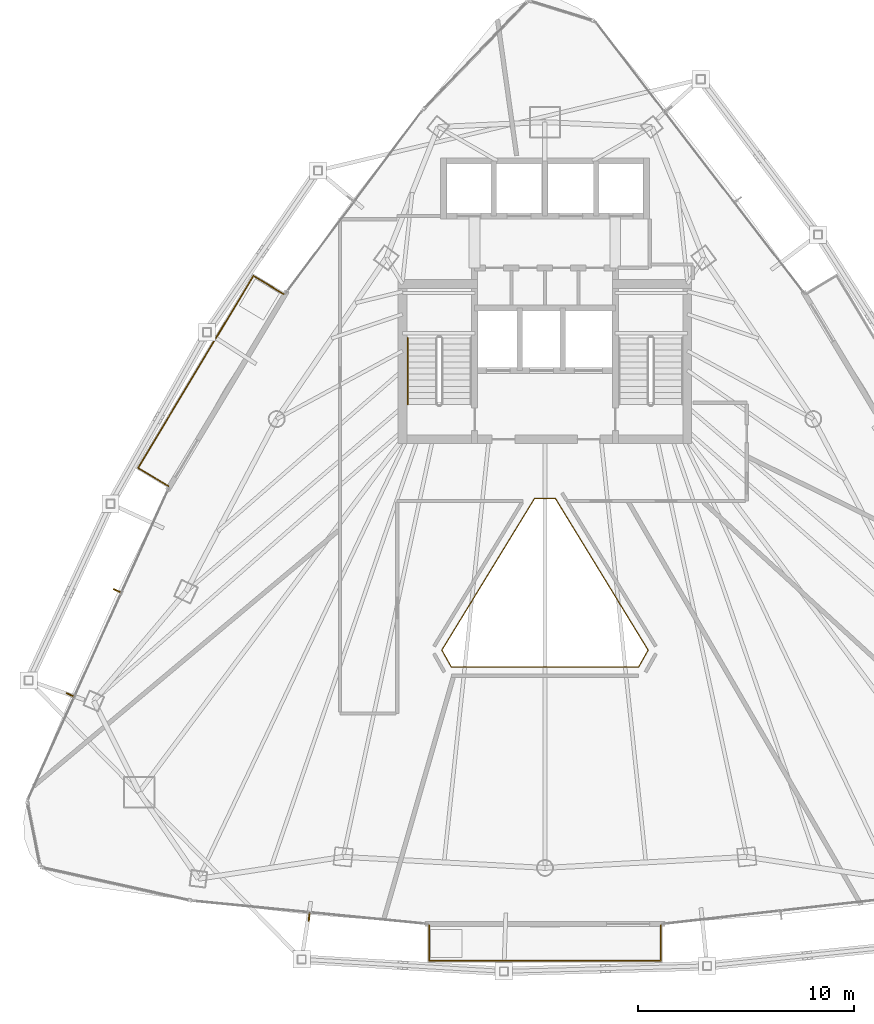
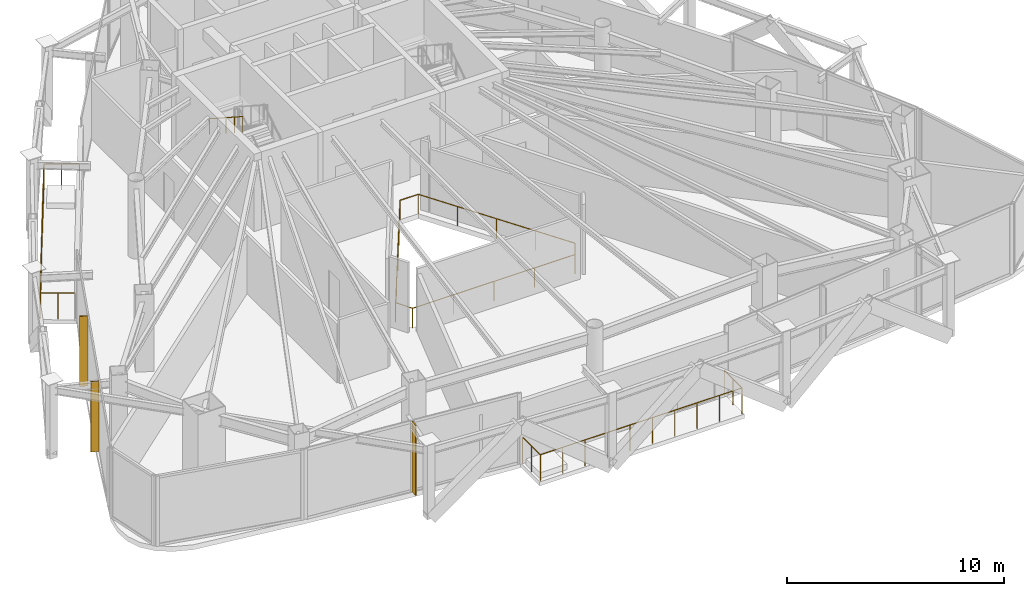
# One storey, part 25 of 27: 4 railings, 3 shading devices.
"""IFC4 building model written with IfcOpenShell, lengths in metres."""

from ifc_helpers import new_model, si_unit, direction, frame, origin, origin_2d, place, context, subcontext, project, spatial, rectangle, circle, extrude, material, layer, layer_set, type_object, element, save


model = new_model("IFC4")

# Units and contexts
model_context = context("Model", 3, precision=1e-05, world=origin(), true_north=direction((0.0, 1.0)))
body_context = subcontext(model_context, "Body", "Model", "MODEL_VIEW")
ifc_project = project(units=[si_unit("LENGTHUNIT", "METRE"), si_unit("AREAUNIT", "SQUARE_METRE"), si_unit("VOLUMEUNIT", "CUBIC_METRE"), si_unit("PLANEANGLEUNIT", "RADIAN"), si_unit("MASSUNIT", "GRAM", prefix="KILO")], contexts=[model_context])

# Site, building, storey
site_placement = place(None, origin())
site = spatial("IfcSite", under=ifc_project, at=site_placement, CompositionType="ELEMENT")
building_placement = place(site_placement, origin())
building = spatial("IfcBuilding", under=site, at=building_placement, Name="Orvanel Arch Residences", CompositionType="ELEMENT")
storey_placement = place(building_placement, frame((0.0, 0.0, 186.949951171875)))
storey = spatial("IfcBuildingStorey", under=building, at=storey_placement, Name="L53", CompositionType="ELEMENT", Elevation=186.949951171875)

# Shading devices
ifc_material_1 = material(Name="Bronze-anodised aluminium AA6063-T6", Category="aluminium")
ifc_layer = layer(ifc_material_1, 0.06005859375)
ifc_layer_set = layer_set([ifc_layer], Name="Bronze-anodised aluminium AA6063-T6")
shading_device_type = type_object("IfcShadingDeviceType", Name="FIN-BRZ-380", PredefinedType="USERDEFINED", material=ifc_layer_set)
for number, where, z_axis, x_axis, name in (
    (1, (13.175048828125, 19.68408203125, 0.0), (0.0, 0.0, 1.0), (-0.911403276635, 0.411514358605, 0.0), "L53 Anodised Bronze Mullion FIN 01"),
    (2, (10.993896484375, 14.863037109375, 0.0), (0.0, 0.0, 1.0), (-0.911403276635, 0.411514358605, 0.0), "L53 Anodised Bronze Mullion FIN 02"),
    (3, (22.072021484375, 4.56689453125, 0.0), (0.0, 0.0, 1.0), (-0.097582899759, -0.995227399982, 0.0), "L53 Anodised Bronze Mullion FIN 01"),
):
    element("IfcShadingDevice", number, at=place(storey_placement, frame(where, z_axis=z_axis, x_axis=x_axis)), inside=storey, type_object=shading_device_type, Name=name, ObjectType="FIN", PredefinedType="USERDEFINED", context=body_context, shape_type="SweptSolid", body=[
        extrude(rectangle(XDim=0.3798828125, YDim=0.06005859375, at=origin_2d()), origin(), (0.0, 0.0, 1.0), 3.949951171875),
    ])

# Railings
railing_type_1 = type_object("IfcRailingType", Name="RL-ATR-1120", PredefinedType="BALUSTRADE", material=ifc_material_1)
railing_1_placement = place(storey_placement, frame((33.48388671875, 23.9580078125, 0.0)))
element("IfcRailing", 4, at=railing_1_placement, inside=storey, type_object=railing_type_1, Name="L53 Atrium Void Protective Balustrade", PredefinedType="BALUSTRADE", context=body_context, shape_type="SweptSolid", body=[
    extrude(circle(Radius=0.02392578125, at=origin_2d()), frame((-0.00146484375, 0.0, 1.09619140625), z_axis=(-1.0, 0.0, 0.0), x_axis=(0.0, -1.0, 0.0)), (0.0, 0.0, 1.0), 0.96484375),
    extrude(circle(Radius=0.02392578125, at=origin_2d()), frame((-0.968505859375, -0.001220703125, 1.09619140625), z_axis=(-0.521574776714, -0.853205574464, 0.0), x_axis=(0.853205574464, -0.521574776714, 0.0)), (0.0, 0.0, 1.0), 8.228271484375),
    extrude(circle(Radius=0.02392578125, at=origin_2d()), frame((-5.26025390625, -7.024169921875, 1.09619140625), z_axis=(0.489086354752, -0.872235368232, 0.0), x_axis=(0.872235368232, 0.489086354752, 0.0)), (0.0, 0.0, 1.0), 0.905029296875),
    extrude(circle(Radius=0.02392578125, at=origin_2d()), frame((-4.8154296875, -7.81494140625, 1.09619140625), z_axis=(1.0, 0.0, 0.0), x_axis=(0.0, 1.0, 0.0)), (0.0, 0.0, 1.0), 8.6630859375),
    extrude(circle(Radius=0.02392578125, at=origin_2d()), frame((3.849853515625, -7.813720703125, 1.09619140625), z_axis=(0.489086354752, 0.872235368232, 0.0), x_axis=(-0.872235368232, 0.489086354752, 0.0)), (0.0, 0.0, 1.0), 0.905029296875),
    extrude(circle(Radius=0.02392578125, at=origin_2d()), frame((4.29248046875, -7.021728515625, 1.09619140625), z_axis=(-0.521574776714, 0.853205574464, 0.0), x_axis=(-0.853205574464, -0.521574776714, 0.0)), (0.0, 0.0, 1.0), 8.228271484375),
    extrude(circle(Radius=0.02099609375, at=origin_2d()), origin(), (0.0, 0.0, 1.0), 1.070068359375),
    extrude(circle(Radius=0.02099609375, at=origin_2d()), frame((-0.9677734375, 0.0, 0.0)), (0.0, 0.0, 1.0), 1.070068359375),
    extrude(circle(Radius=0.02099609375, at=origin_2d()), frame((-2.041015625, -1.755859375, 0.0)), (0.0, 0.0, 1.0), 1.070068359375),
    extrude(circle(Radius=0.02099609375, at=origin_2d()), frame((-3.1142578125, -3.511474609375, 0.0)), (0.0, 0.0, 1.0), 1.070068359375),
    extrude(circle(Radius=0.02099609375, at=origin_2d()), frame((-4.187744140625, -5.26708984375, 0.0)), (0.0, 0.0, 1.0), 1.070068359375),
    extrude(circle(Radius=0.02099609375, at=origin_2d()), frame((-5.260986328125, -7.02294921875, 0.0)), (0.0, 0.0, 1.0), 1.070068359375),
    extrude(circle(Radius=0.02099609375, at=origin_2d()), frame((-4.81689453125, -7.81494140625, 0.0)), (0.0, 0.0, 1.0), 1.070068359375),
    extrude(circle(Radius=0.02099609375, at=origin_2d()), frame((-2.650390625, -7.81494140625, 0.0)), (0.0, 0.0, 1.0), 1.070068359375),
    extrude(circle(Radius=0.02099609375, at=origin_2d()), frame((-0.48388671875, -7.81494140625, 0.0)), (0.0, 0.0, 1.0), 1.070068359375),
    extrude(circle(Radius=0.02099609375, at=origin_2d()), frame((1.6826171875, -7.81494140625, 0.0)), (0.0, 0.0, 1.0), 1.070068359375),
    extrude(circle(Radius=0.02099609375, at=origin_2d()), frame((3.84912109375, -7.81494140625, 0.0)), (0.0, 0.0, 1.0), 1.070068359375),
    extrude(circle(Radius=0.02099609375, at=origin_2d()), frame((4.293212890625, -7.02294921875, 0.0)), (0.0, 0.0, 1.0), 1.070068359375),
    extrude(circle(Radius=0.02099609375, at=origin_2d()), frame((3.219970703125, -5.26708984375, 0.0)), (0.0, 0.0, 1.0), 1.070068359375),
    extrude(circle(Radius=0.02099609375, at=origin_2d()), frame((2.146484375, -3.511474609375, 0.0)), (0.0, 0.0, 1.0), 1.070068359375),
    extrude(circle(Radius=0.02099609375, at=origin_2d()), frame((1.0732421875, -1.755859375, 0.0)), (0.0, 0.0, 1.0), 1.070068359375),
])
railing_type_2 = type_object("IfcRailingType", Name="RL-BAL-1480", PredefinedType="BALUSTRADE", material=ifc_material_1)
railing_2_placement = place(storey_placement, frame((20.89306640625, 33.43310546875, 0.0)))
element("IfcRailing", 5, at=railing_2_placement, inside=storey, type_object=railing_type_2, Name="L53 Balcony Perimeter Guardrail Face 1", PredefinedType="BALUSTRADE", context=body_context, shape_type="SweptSolid", body=[
    extrude(circle(Radius=0.02392578125, at=origin_2d()), frame((-0.001220703125, 0.000732421875, 1.4560546875), z_axis=(-0.857387817543, 0.514670895164, 0.0), x_axis=(-0.514670895164, -0.857387817543, 0.0)), (0.0, 0.0, 1.0), 1.636962890625),
    extrude(circle(Radius=0.02392578125, at=origin_2d()), frame((-1.40673828125, 0.8427734375, 1.4560546875), z_axis=(-0.514385063154, -0.857559331361, 0.0), x_axis=(0.857559331361, -0.514385063154, 0.0)), (0.0, 0.0, 1.0), 10.376708984375),
    extrude(circle(Radius=0.02392578125, at=origin_2d()), frame((-6.743896484375, -8.057861328125, 1.4560546875), z_axis=(0.857545439568, -0.514408222208, 0.0), x_axis=(0.514408222208, 0.857545439568, 0.0)), (0.0, 0.0, 1.0), 1.6376953125),
    extrude(circle(Radius=0.02099609375, at=origin_2d()), origin(), (0.0, 0.0, 1.0), 1.429931640625),
    extrude(circle(Radius=0.02099609375, at=origin_2d()), frame((-0.703125, 0.421875, 0.0)), (0.0, 0.0, 1.0), 1.429931640625),
    extrude(circle(Radius=0.02099609375, at=origin_2d()), frame((-1.406005859375, 0.843994140625, 0.0)), (0.0, 0.0, 1.0), 1.429931640625),
    extrude(circle(Radius=0.02099609375, at=origin_2d()), frame((-1.999267578125, -0.14501953125, 0.0)), (0.0, 0.0, 1.0), 1.429931640625),
    extrude(circle(Radius=0.02099609375, at=origin_2d()), frame((-2.592529296875, -1.134033203125, 0.0)), (0.0, 0.0, 1.0), 1.429931640625),
    extrude(circle(Radius=0.02099609375, at=origin_2d()), frame((-3.185791015625, -2.123046875, 0.0)), (0.0, 0.0, 1.0), 1.429931640625),
    extrude(circle(Radius=0.02099609375, at=origin_2d()), frame((-3.779052734375, -3.112060546875, 0.0)), (0.0, 0.0, 1.0), 1.429931640625),
    extrude(circle(Radius=0.02099609375, at=origin_2d()), frame((-4.3720703125, -4.10107421875, 0.0)), (0.0, 0.0, 1.0), 1.429931640625),
    extrude(circle(Radius=0.02099609375, at=origin_2d()), frame((-4.96533203125, -5.090087890625, 0.0)), (0.0, 0.0, 1.0), 1.429931640625),
    extrude(circle(Radius=0.02099609375, at=origin_2d()), frame((-5.55859375, -6.0791015625, 0.0)), (0.0, 0.0, 1.0), 1.429931640625),
    extrude(circle(Radius=0.02099609375, at=origin_2d()), frame((-6.15185546875, -7.068115234375, 0.0)), (0.0, 0.0, 1.0), 1.429931640625),
    extrude(circle(Radius=0.02099609375, at=origin_2d()), frame((-6.7451171875, -8.05712890625, 0.0)), (0.0, 0.0, 1.0), 1.429931640625),
    extrude(circle(Radius=0.02099609375, at=origin_2d()), frame((-6.04150390625, -8.47900390625, 0.0)), (0.0, 0.0, 1.0), 1.429931640625),
    extrude(circle(Radius=0.02099609375, at=origin_2d()), frame((-5.338134765625, -8.901123046875, 0.0)), (0.0, 0.0, 1.0), 1.429931640625),
])
railing_3_placement = place(storey_placement, frame((27.626953125, 4.18896484375, 0.0)))
element("IfcRailing", 6, at=railing_3_placement, inside=storey, type_object=railing_type_2, Name="L53 Balcony Perimeter Guardrail Face 2", PredefinedType="BALUSTRADE", context=body_context, shape_type="SweptSolid", body=[
    extrude(circle(Radius=0.02392578125, at=origin_2d()), frame((0.0, -0.00146484375, 1.4560546875), z_axis=(0.0, -1.0, 0.0), x_axis=(1.0, 0.0, 0.0)), (0.0, 0.0, 1.0), 1.636962890625),
    extrude(circle(Radius=0.02392578125, at=origin_2d()), frame((0.00146484375, -1.639892578125, 1.4560546875), z_axis=(1.0, 0.0, 0.0), x_axis=(0.0, 1.0, 0.0)), (0.0, 0.0, 1.0), 10.7431640625),
    extrude(circle(Radius=0.02392578125, at=origin_2d()), frame((10.74609375, -1.638427734375, 1.4560546875), z_axis=(0.0, 1.0, 0.0), x_axis=(-1.0, 0.0, 0.0)), (0.0, 0.0, 1.0), 1.636962890625),
    extrude(circle(Radius=0.02099609375, at=origin_2d()), origin(), (0.0, 0.0, 1.0), 1.429931640625),
    extrude(circle(Radius=0.02099609375, at=origin_2d()), frame((0.0, -0.81982421875, 0.0)), (0.0, 0.0, 1.0), 1.429931640625),
    extrude(circle(Radius=0.02099609375, at=origin_2d()), frame((0.0, -1.639892578125, 0.0)), (0.0, 0.0, 1.0), 1.429931640625),
    extrude(circle(Radius=0.02099609375, at=origin_2d()), frame((1.194091796875, -1.639892578125, 0.0)), (0.0, 0.0, 1.0), 1.429931640625),
    extrude(circle(Radius=0.02099609375, at=origin_2d()), frame((2.387939453125, -1.639892578125, 0.0)), (0.0, 0.0, 1.0), 1.429931640625),
    extrude(circle(Radius=0.02099609375, at=origin_2d()), frame((3.58203125, -1.639892578125, 0.0)), (0.0, 0.0, 1.0), 1.429931640625),
    extrude(circle(Radius=0.02099609375, at=origin_2d()), frame((4.776123046875, -1.639892578125, 0.0)), (0.0, 0.0, 1.0), 1.429931640625),
    extrude(circle(Radius=0.02099609375, at=origin_2d()), frame((5.969970703125, -1.639892578125, 0.0)), (0.0, 0.0, 1.0), 1.429931640625),
    extrude(circle(Radius=0.02099609375, at=origin_2d()), frame((7.1640625, -1.639892578125, 0.0)), (0.0, 0.0, 1.0), 1.429931640625),
    extrude(circle(Radius=0.02099609375, at=origin_2d()), frame((8.358154296875, -1.639892578125, 0.0)), (0.0, 0.0, 1.0), 1.429931640625),
    extrude(circle(Radius=0.02099609375, at=origin_2d()), frame((9.552001953125, -1.639892578125, 0.0)), (0.0, 0.0, 1.0), 1.429931640625),
    extrude(circle(Radius=0.02099609375, at=origin_2d()), frame((10.74609375, -1.639892578125, 0.0)), (0.0, 0.0, 1.0), 1.429931640625),
    extrude(circle(Radius=0.02099609375, at=origin_2d()), frame((10.74609375, -0.81982421875, 0.0)), (0.0, 0.0, 1.0), 1.429931640625),
    extrude(circle(Radius=0.02099609375, at=origin_2d()), frame((10.74609375, 0.0, 0.0)), (0.0, 0.0, 1.0), 1.429931640625),
])
ifc_material_2 = material(Name="Structural steel AS/NZS 1163 C350L0 (Grade 350)", Category="steel")
railing_type_3 = type_object("IfcRailingType", Name="RL-STAIR-HAND", PredefinedType="HANDRAIL", material=ifc_material_2)
railing_4_placement = place(storey_placement, frame((26.64990234375, 31.39990234375, 2.356201171875)))
element("IfcRailing", 7, at=railing_4_placement, inside=storey, type_object=railing_type_3, Name="L53 ST-1 stair handrail 2", PredefinedType="HANDRAIL", context=body_context, shape_type="SweptSolid", body=[
    extrude(circle(Radius=0.02392578125, at=origin_2d()), frame((0.0, -0.001220703125, 0.876708984375), z_axis=(0.0, -0.839438020429, 0.543455435025), x_axis=(1.0, 0.0, 0.0)), (0.0, 0.0, 1.0), 3.666015625),
    extrude(circle(Radius=0.02099609375, at=origin_2d()), origin(), (0.0, 0.0, 1.0), 0.849853515625),
    extrude(circle(Radius=0.02099609375, at=origin_2d()), frame((0.0, -0.77001953125, 0.49853515625)), (0.0, 0.0, 1.0), 0.849853515625),
    extrude(circle(Radius=0.02099609375, at=origin_2d()), frame((0.0, -1.5400390625, 0.9970703125)), (0.0, 0.0, 1.0), 0.849853515625),
    extrude(circle(Radius=0.02099609375, at=origin_2d()), frame((0.0, -2.309814453125, 1.495361328125)), (0.0, 0.0, 1.0), 0.849853515625),
    extrude(circle(Radius=0.02099609375, at=origin_2d()), frame((0.0, -3.079833984375, 1.993896484375)), (0.0, 0.0, 1.0), 0.849853515625),
])

save(model, "model.ifc")
